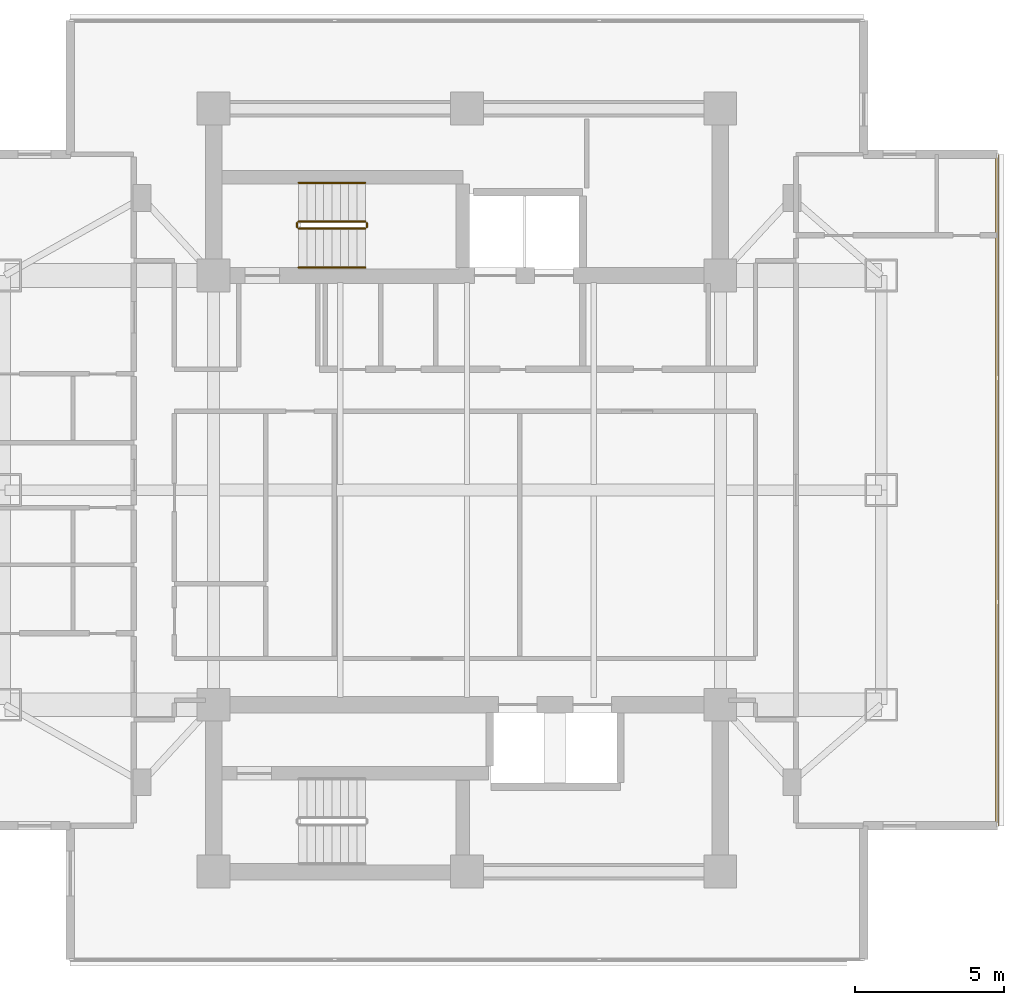
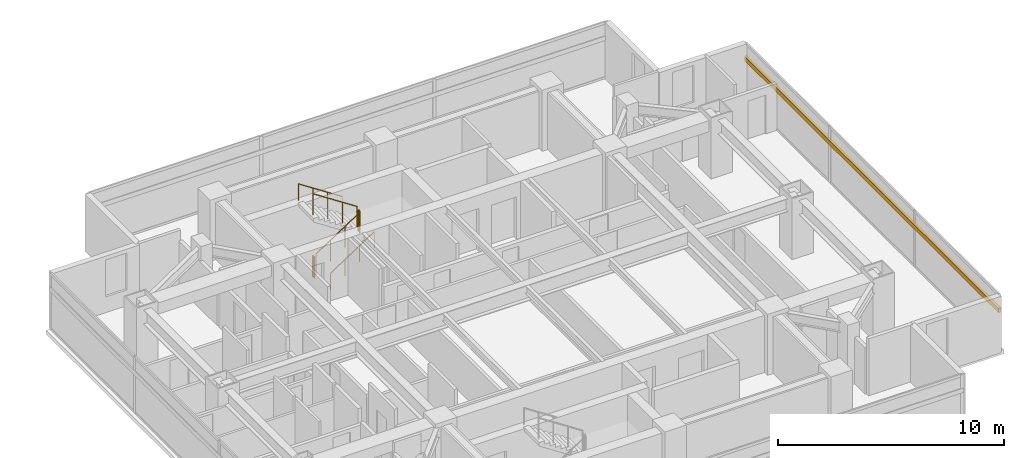
# One storey, part 24 of 25: 6 railings, 1 shading device.
"""IFC4 building model written with IfcOpenShell, lengths in metres."""

from ifc_helpers import new_model, si_unit, direction, frame, origin, origin_2d, place, context, subcontext, project, spatial, rectangle, circle, extrude, material, material_profile, profile_set, type_object, element, save


model = new_model("IFC4")

# Units and contexts
model_context = context("Model", 3, precision=1e-05, world=origin(), true_north=direction((0.0, 1.0)))
body_context = subcontext(model_context, "Body", "Model", "MODEL_VIEW")
ifc_project = project(units=[si_unit("LENGTHUNIT", "METRE"), si_unit("AREAUNIT", "SQUARE_METRE"), si_unit("VOLUMEUNIT", "CUBIC_METRE"), si_unit("PLANEANGLEUNIT", "RADIAN"), si_unit("MASSUNIT", "GRAM", prefix="KILO")], contexts=[model_context])

# Site, building, storey
site_placement = place(None, origin())
site = spatial("IfcSite", under=ifc_project, at=site_placement, CompositionType="ELEMENT")
building_placement = place(site_placement, origin())
building = spatial("IfcBuilding", under=site, at=building_placement, Name="Mirazonda Arch Towers", CompositionType="ELEMENT")
storey_placement = place(building_placement, frame((0.0, 0.0, 131.300048828125)))
storey = spatial("IfcBuildingStorey", under=building, at=storey_placement, Name="L37", CompositionType="ELEMENT", Elevation=131.300048828125)

# Shading device
ifc_material_1 = material(Name="Kiln-Fired Architectural Terracotta", Category="masonry")
ifc_material_profile = material_profile(ifc_material_1, rectangle(XDim=0.1201171875, YDim=0.239990234375, at=origin_2d()), Name="TERRA-BAG-120x240")
ifc_profile_set = profile_set([ifc_material_profile], Name="Kiln-Fired Architectural Terracotta")
shading_device_type = type_object("IfcShadingDeviceType", Name="BAGUETTE-1", PredefinedType="USERDEFINED", material=ifc_profile_set)
shading_device_placement = place(storey_placement, frame((94.297119140625, 16.734375, 2.203125), z_axis=(0.0, 1.0, 0.0), x_axis=(-1.0, 0.0, 0.0)))
element("IfcShadingDevice", 1, at=shading_device_placement, inside=storey, type_object=shading_device_type, Name="L37 Glazed Terracotta Sun-Screen Baguette CW-L37-T2-E", ObjectType="BAGUETTE", PredefinedType="USERDEFINED", context=body_context, shape_type="SweptSolid", body=[
    extrude(rectangle(XDim=0.1201171875, YDim=0.239990234375, at=origin_2d()), origin(), (0.0, 0.0, 1.0), 22.53125),
])

# Railings
ifc_material_2 = material(Name="Architectural Brushed Steel S355", Category="steel")
railing_type_1 = type_object("IfcRailingType", Name="GUARD-STAIR-1120", PredefinedType="GUARDRAIL", material=ifc_material_2)
railing_1_placement = place(storey_placement, frame((70.85009765625, 36.77001953125, 0.183349609375)))
element("IfcRailing", 2, at=railing_1_placement, inside=storey, type_object=railing_type_1, Name="L37 ST-T2N stair guard 1", PredefinedType="GUARDRAIL", context=body_context, shape_type="SweptSolid", body=[
    extrude(circle(Radius=0.02392578125, at=origin_2d()), frame((0.0, 0.0, 1.1259765625), z_axis=(0.836636935527, 0.0, 0.547757827979), x_axis=(0.0, 1.0, 0.0)), (0.0, 0.0, 1.0), 2.677490234375),
    extrude(circle(Radius=0.02099609375, at=origin_2d()), origin(), (0.0, 0.0, 1.0), 1.101806640625),
    extrude(circle(Radius=0.02099609375, at=origin_2d()), frame((0.74658203125, 0.0, 0.48876953125)), (0.0, 0.0, 1.0), 1.101806640625),
    extrude(circle(Radius=0.02099609375, at=origin_2d()), frame((1.493408203125, 0.0, 0.977783203125)), (0.0, 0.0, 1.0), 1.101806640625),
    extrude(circle(Radius=0.02099609375, at=origin_2d()), frame((2.239990234375, 0.0, 1.466552734375)), (0.0, 0.0, 1.0), 1.101806640625),
])
railing_2_placement = place(storey_placement, frame((73.139892578125, 36.820068359375, 1.64990234375)))
element("IfcRailing", 3, at=railing_2_placement, inside=storey, type_object=railing_type_1, Name="L37 ST-T2N stair guard 2", PredefinedType="GUARDRAIL", context=body_context, shape_type="SweptSolid", body=[
    extrude(circle(Radius=0.02392578125, at=origin_2d()), frame((0.0, 0.0, 1.1259765625), z_axis=(0.0, 1.0, 0.0), x_axis=(-1.0, 0.0, 0.0)), (0.0, 0.0, 1.0), 0.139892578125),
    extrude(circle(Radius=0.02099609375, at=origin_2d()), origin(), (0.0, 0.0, 1.0), 1.101806640625),
    extrude(circle(Radius=0.02099609375, at=origin_2d()), frame((0.0, 0.139892578125, 0.0)), (0.0, 0.0, 1.0), 1.101806640625),
])
railing_3_placement = place(storey_placement, frame((73.090087890625, 37.010009765625, 1.833251953125)))
element("IfcRailing", 4, at=railing_3_placement, inside=storey, type_object=railing_type_1, Name="L37 ST-T2N stair guard 3", PredefinedType="GUARDRAIL", context=body_context, shape_type="SweptSolid", body=[
    extrude(circle(Radius=0.02392578125, at=origin_2d()), frame((0.0, 0.0, 1.1259765625), z_axis=(-0.836595146698, 0.0, 0.547821650285), x_axis=(0.0, -1.0, 0.0)), (0.0, 0.0, 1.0), 2.677490234375),
    extrude(circle(Radius=0.02099609375, at=origin_2d()), origin(), (0.0, 0.0, 1.0), 1.101806640625),
    extrude(circle(Radius=0.02099609375, at=origin_2d()), frame((-0.74658203125, 0.0, 0.489013671875)), (0.0, 0.0, 1.0), 1.101806640625),
    extrude(circle(Radius=0.02099609375, at=origin_2d()), frame((-1.493408203125, 0.0, 0.977783203125)), (0.0, 0.0, 1.0), 1.101806640625),
    extrude(circle(Radius=0.02099609375, at=origin_2d()), frame((-2.239990234375, 0.0, 1.466796875)), (0.0, 0.0, 1.0), 1.101806640625),
])
railing_4_placement = place(storey_placement, frame((70.800048828125, 36.820068359375, 0.0)))
element("IfcRailing", 5, at=railing_4_placement, inside=storey, type_object=railing_type_1, Name="L37 ST-T2N stair guard 4", PredefinedType="GUARDRAIL", context=body_context, shape_type="SweptSolid", body=[
    extrude(circle(Radius=0.02392578125, at=origin_2d()), frame((0.0, 0.0, 1.1259765625), z_axis=(0.0, 1.0, 0.0), x_axis=(-1.0, 0.0, 0.0)), (0.0, 0.0, 1.0), 0.139892578125),
    extrude(circle(Radius=0.02099609375, at=origin_2d()), origin(), (0.0, 0.0, 1.0), 1.101806640625),
    extrude(circle(Radius=0.02099609375, at=origin_2d()), frame((0.0, 0.139892578125, 0.0)), (0.0, 0.0, 1.0), 1.101806640625),
])
railing_type_2 = type_object("IfcRailingType", Name="HANDRAIL-915", PredefinedType="HANDRAIL", material=ifc_material_2)
railing_5_placement = place(storey_placement, frame((70.85009765625, 35.469970703125, 0.183349609375)))
element("IfcRailing", 6, at=railing_5_placement, inside=storey, type_object=railing_type_2, Name="L37 ST-T2N stair handrail 1", PredefinedType="HANDRAIL", context=body_context, shape_type="SweptSolid", body=[
    extrude(circle(Radius=0.02392578125, at=origin_2d()), frame((0.0, 0.0, 0.8759765625), z_axis=(0.836636935527, 0.0, 0.547757827979), x_axis=(0.0, 1.0, 0.0)), (0.0, 0.0, 1.0), 2.677490234375),
    extrude(circle(Radius=0.02099609375, at=origin_2d()), origin(), (0.0, 0.0, 1.0), 0.851806640625),
    extrude(circle(Radius=0.02099609375, at=origin_2d()), frame((0.74658203125, 0.0, 0.48876953125)), (0.0, 0.0, 1.0), 0.851806640625),
    extrude(circle(Radius=0.02099609375, at=origin_2d()), frame((1.493408203125, 0.0, 0.977783203125)), (0.0, 0.0, 1.0), 0.851806640625),
    extrude(circle(Radius=0.02099609375, at=origin_2d()), frame((2.239990234375, 0.0, 1.466552734375)), (0.0, 0.0, 1.0), 0.851806640625),
])
railing_6_placement = place(storey_placement, frame((73.090087890625, 38.31005859375, 1.833251953125)))
element("IfcRailing", 7, at=railing_6_placement, inside=storey, type_object=railing_type_2, Name="L37 ST-T2N stair handrail 2", PredefinedType="HANDRAIL", context=body_context, shape_type="SweptSolid", body=[
    extrude(circle(Radius=0.02392578125, at=origin_2d()), frame((0.0, 0.0, 0.8759765625), z_axis=(-0.836595146698, 0.0, 0.547821650285), x_axis=(0.0, -1.0, 0.0)), (0.0, 0.0, 1.0), 2.677490234375),
    extrude(circle(Radius=0.02099609375, at=origin_2d()), origin(), (0.0, 0.0, 1.0), 0.851806640625),
    extrude(circle(Radius=0.02099609375, at=origin_2d()), frame((-0.74658203125, 0.0, 0.489013671875)), (0.0, 0.0, 1.0), 0.851806640625),
    extrude(circle(Radius=0.02099609375, at=origin_2d()), frame((-1.493408203125, 0.0, 0.977783203125)), (0.0, 0.0, 1.0), 0.851806640625),
    extrude(circle(Radius=0.02099609375, at=origin_2d()), frame((-2.239990234375, 0.0, 1.466796875)), (0.0, 0.0, 1.0), 0.851806640625),
])

save(model, "model.ifc")
